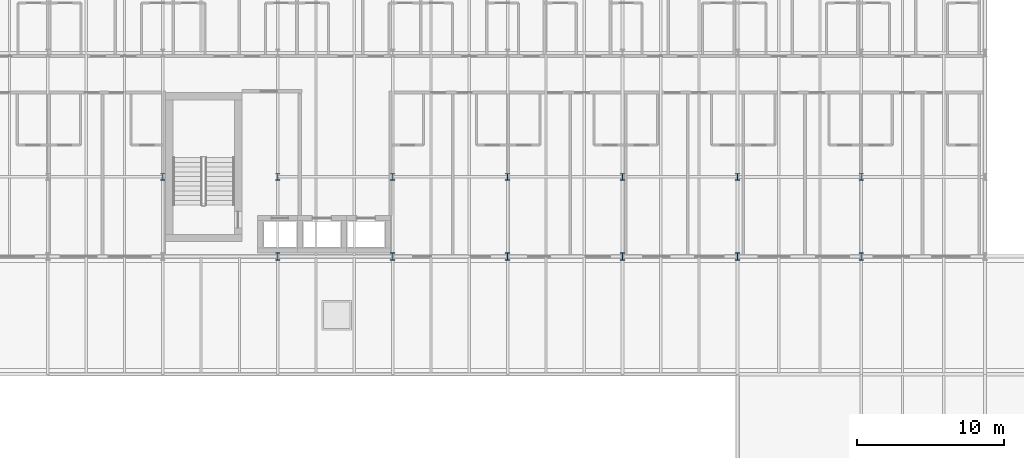
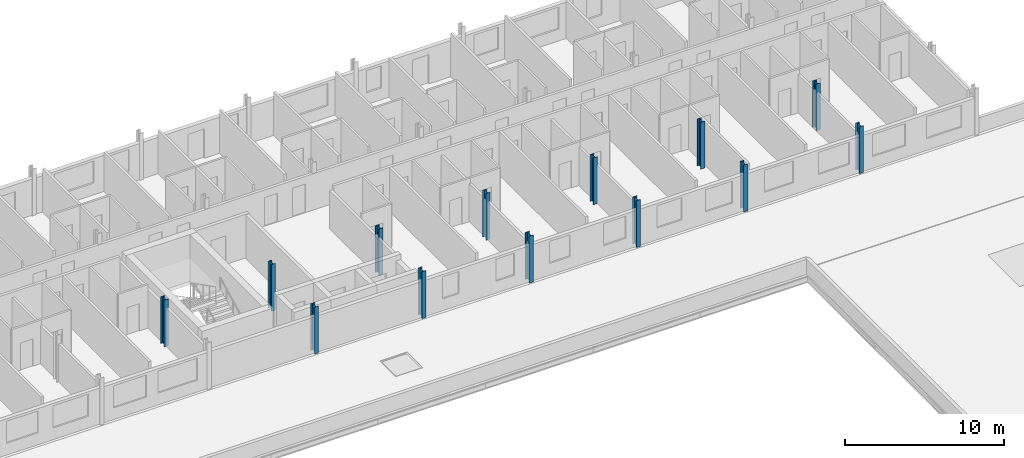
# One storey, part 4 of 36: 13 columns.
"""IFC4 building model written with IfcOpenShell, lengths in metres."""

from ifc_helpers import new_model, si_unit, direction, frame, origin, origin_2d, place, context, subcontext, project, spatial, i_section, extrude, material, material_profile, profile_set, type_object, element, save


model = new_model("IFC4")

# Units and contexts
model_context = context("Model", 3, precision=1e-05, world=origin(), true_north=direction((0.0, 1.0)))
body_context = subcontext(model_context, "Body", "Model", "MODEL_VIEW")
ifc_project = project(units=[si_unit("LENGTHUNIT", "METRE"), si_unit("AREAUNIT", "SQUARE_METRE"), si_unit("VOLUMEUNIT", "CUBIC_METRE"), si_unit("PLANEANGLEUNIT", "RADIAN"), si_unit("MASSUNIT", "GRAM", prefix="KILO")], contexts=[model_context])

# Site, building, storey
site_placement = place(None, origin())
site = spatial("IfcSite", under=ifc_project, at=site_placement, CompositionType="ELEMENT")
building_placement = place(site_placement, origin())
building = spatial("IfcBuilding", under=site, at=building_placement, Name="Sefraquen Railside Congress Hotel", CompositionType="ELEMENT")
storey_placement = place(building_placement, frame((0.0, 0.0, 24.60009765625)))
storey = spatial("IfcBuildingStorey", under=building, at=storey_placement, Name="L05", CompositionType="ELEMENT", Elevation=24.60009765625)

# Columns
ifc_material = material(Name="Steel S355JR", Category="steel")
ifc_material_profile_1 = material_profile(ifc_material, i_section(OverallWidth=0.300048828125, OverallDepth=0.449951171875, WebThickness=0.013916015625, FlangeThickness=0.02587890625, FilletRadius=0.027099609375, at=origin_2d()), Name="HEB 450")
ifc_profile_set_1 = profile_set([ifc_material_profile_1], Name="Steel S355JR")
column_type_1 = type_object("IfcColumnType", Name="TC-HEB-450", PredefinedType="COLUMN", material=ifc_profile_set_1)
for number, where, z_axis, x_axis, name in (
    (1, (64.199951171875, 101.39990234375, 0.0), (0.0, 0.0, 1.0), (1.0, 0.0, 0.0), "Structural column 9-N L05"),
    (2, (72.0, 101.39990234375, 0.0), (0.0, 0.0, 1.0), (1.0, 0.0, 0.0), "Structural column 10-N L05"),
    (3, (79.800048828125, 101.39990234375, 0.0), (0.0, 0.0, 1.0), (1.0, 0.0, 0.0), "Structural column 11-N L05"),
    (4, (87.60009765625, 101.39990234375, 0.0), (0.0, 0.0, 1.0), (1.0, 0.0, 0.0), "Structural column 12-N L05"),
    (5, (95.39990234375, 101.39990234375, 0.0), (0.0, 0.0, 1.0), (1.0, 0.0, 0.0), "Structural column 13-N L05"),
    (6, (103.199951171875, 101.39990234375, 0.0), (0.0, 0.0, 1.0), (1.0, 0.0, 0.0), "Structural column 14-N L05"),
    (7, (111.60009765625, 101.39990234375, 0.0), (0.0, 0.0, 1.0), (1.0, 0.0, 0.0), "Structural column 15-N L05"),
):
    element("IfcColumn", number, at=place(storey_placement, frame(where, z_axis=z_axis, x_axis=x_axis)), inside=storey, type_object=column_type_1, Name=name, PredefinedType="COLUMN", context=body_context, shape_type="SweptSolid", body=[
        extrude(i_section(OverallWidth=0.300048828125, OverallDepth=0.449951171875, WebThickness=0.013916015625, FlangeThickness=0.02587890625, FilletRadius=0.027099609375, at=origin_2d()), origin(), (0.0, 0.0, 1.0), 3.599853515625),
    ])
ifc_material_profile_2 = material_profile(ifc_material, i_section(OverallWidth=0.300048828125, OverallDepth=0.5, WebThickness=0.014404296875, FlangeThickness=0.028076171875, FilletRadius=0.027099609375, at=origin_2d()), Name="HEB 500")
ifc_profile_set_2 = profile_set([ifc_material_profile_2], Name="Steel S355JR")
column_type_2 = type_object("IfcColumnType", Name="TC-HEB-500", PredefinedType="COLUMN", material=ifc_profile_set_2)
for number, where, z_axis, x_axis, name in (
    (8, (72.0, 96.0, 0.0), (0.0, 0.0, 1.0), (1.0, 0.0, 0.0), "Structural column 10-M L05"),
    (9, (79.800048828125, 96.0, 0.0), (0.0, 0.0, 1.0), (1.0, 0.0, 0.0), "Structural column 11-M L05"),
    (10, (87.60009765625, 96.0, 0.0), (0.0, 0.0, 1.0), (1.0, 0.0, 0.0), "Structural column 12-M L05"),
    (11, (95.39990234375, 96.0, 0.0), (0.0, 0.0, 1.0), (1.0, 0.0, 0.0), "Structural column 13-M L05"),
    (12, (103.199951171875, 96.0, 0.0), (0.0, 0.0, 1.0), (1.0, 0.0, 0.0), "Structural column 14-M L05"),
    (13, (111.60009765625, 96.0, 0.0), (0.0, 0.0, 1.0), (1.0, 0.0, 0.0), "Structural column 15-M L05"),
):
    element("IfcColumn", number, at=place(storey_placement, frame(where, z_axis=z_axis, x_axis=x_axis)), inside=storey, type_object=column_type_2, Name=name, PredefinedType="COLUMN", context=body_context, shape_type="SweptSolid", body=[
        extrude(i_section(OverallWidth=0.300048828125, OverallDepth=0.5, WebThickness=0.014404296875, FlangeThickness=0.028076171875, FilletRadius=0.027099609375, at=origin_2d()), origin(), (0.0, 0.0, 1.0), 3.599853515625),
    ])

save(model, "model.ifc")
